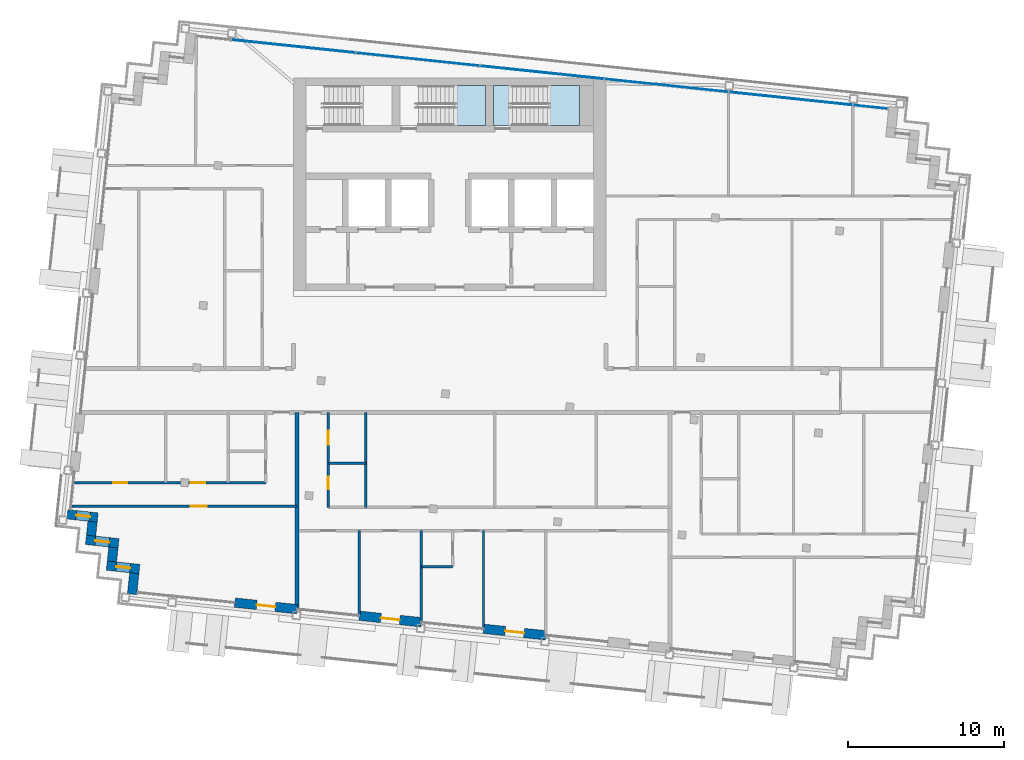
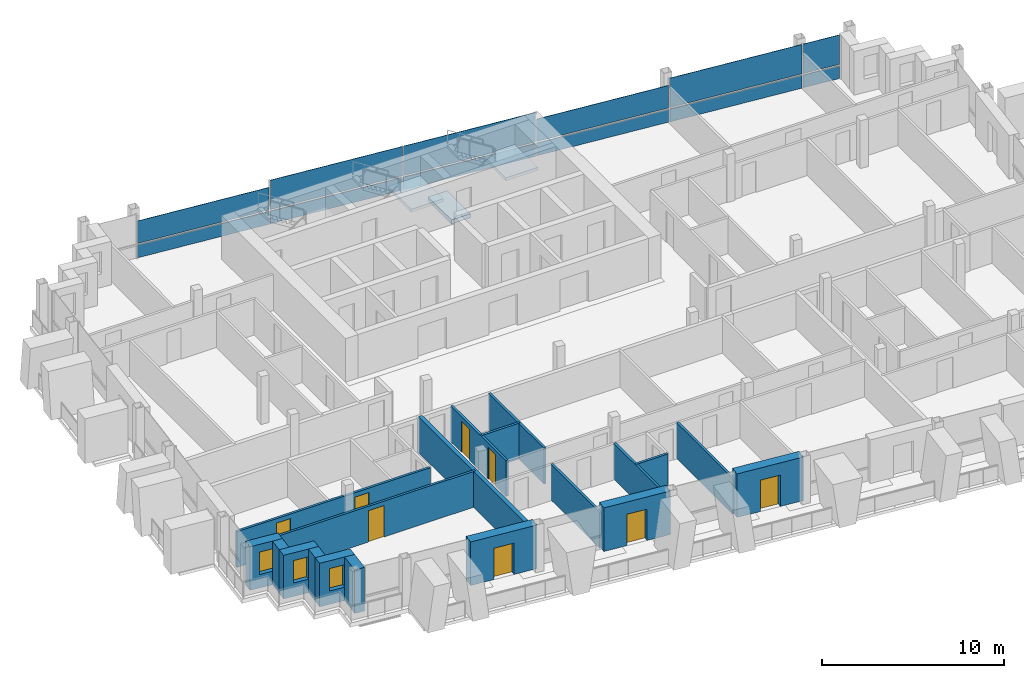
# One storey, part 8 of 16: 19 walls, 12 plates, 8 doors, 3 slabs, 3 windows, 11 openings, 3 elements without a shape of their own.
"""IFC4 building model written with IfcOpenShell, lengths in metres."""

from ifc_helpers import new_model, si_unit, direction, frame, frame_2d, origin, origin_2d, place, context, subcontext, project, spatial, polyline, rectangle, outline, extrude, material, layer, layer_set, type_object, element, fill, aggregate, save


model = new_model("IFC4")

# Units and contexts
model_context = context("Model", 3, precision=1e-05, world=origin(), true_north=direction((0.0, 1.0)))
body_context = subcontext(model_context, "Body", "Model", "MODEL_VIEW")
ifc_project = project(units=[si_unit("LENGTHUNIT", "METRE"), si_unit("AREAUNIT", "SQUARE_METRE"), si_unit("VOLUMEUNIT", "CUBIC_METRE"), si_unit("PLANEANGLEUNIT", "RADIAN"), si_unit("MASSUNIT", "GRAM", prefix="KILO")], contexts=[model_context])

# Site, building, storey
site_placement = place(None, origin())
site = spatial("IfcSite", under=ifc_project, at=site_placement, CompositionType="ELEMENT")
building_placement = place(site_placement, origin())
building = spatial("IfcBuilding", under=site, at=building_placement, Name="Vidyagriha Tower", CompositionType="ELEMENT")
storey_placement = place(building_placement, frame((0.0, 0.0, 253.10009765625)))
storey = spatial("IfcBuildingStorey", under=building, at=storey_placement, Name="L65", CompositionType="ELEMENT", Elevation=253.10009765625)

# Curtain wall, plates
ifc_material_1 = material(Name="Aluminium and glass curtain wall", Category="aluminium")
curtain_wall_type = type_object("IfcCurtainWallType", Name="Dwelling skin unitised curtain wall", PredefinedType="USERDEFINED", material=ifc_material_1)
curtain_wall_placement = place(storey_placement, origin())
curtain_wall = element("IfcCurtainWall", 1, at=curtain_wall_placement, inside=storey, type_object=curtain_wall_type, Name="CW1 dwelling skin", ObjectType="UNITISED", PredefinedType="USERDEFINED")
ifc_material_2 = material(Name="Glass dark ceramic-fritted spandrel", Category="glass")
ifc_layer_1 = layer(ifc_material_2, 0.0400390625)
ifc_layer_set_1 = layer_set([ifc_layer_1], Name="Glass dark ceramic-fritted spandrel")
plate_type_1 = type_object("IfcPlateType", Name="Ceramic-fritted spandrel panel", PredefinedType="CURTAIN_PANEL", material=ifc_layer_set_1)
plate_1_placement = place(storey_placement, frame((26.922607421875, 18.14599609375, -0.000244140625), z_axis=(0.0, 0.0, 1.0), x_axis=(-0.994521854435, 0.104528852722, 0.0)))
plate_1 = element("IfcPlate", 2, at=plate_1_placement, type_object=plate_type_1, Name="CW1 panel 1.1", PredefinedType="CURTAIN_PANEL", context=body_context, shape_type="SweptSolid", body=[
    extrude(rectangle(XDim=2.195068359375, YDim=0.0400390625, at=origin_2d()), origin(), (0.0, 0.0, 1.0), 0.85009765625),
])
plate_2_placement = place(storey_placement, frame((13.862060546875, 19.518798828125, -0.000244140625), z_axis=(0.0, 0.0, 1.0), x_axis=(-0.994521854435, 0.104528852722, 0.0)))
plate_2 = element("IfcPlate", 3, at=plate_2_placement, type_object=plate_type_1, Name="CW1 panel 3.1", PredefinedType="CURTAIN_PANEL", context=body_context, shape_type="SweptSolid", body=[
    extrude(rectangle(XDim=7.929931640625, YDim=0.0400390625, at=origin_2d()), origin(), (0.0, 0.0, 1.0), 0.85009765625),
])
plate_3_placement = place(storey_placement, frame((-2.05029296875, 21.191162109375, -0.000244140625), z_axis=(0.0, 0.0, 1.0), x_axis=(-0.994521854435, 0.104528852722, 0.0)))
plate_3 = element("IfcPlate", 4, at=plate_3_placement, type_object=plate_type_1, Name="CW1 panel 5.1", PredefinedType="CURTAIN_PANEL", context=body_context, shape_type="SweptSolid", body=[
    extrude(rectangle(XDim=7.929931640625, YDim=0.0400390625, at=origin_2d()), origin(), (0.0, 0.0, 1.0), 0.85009765625),
])
ifc_material_3 = material(Name="Glass dark ceramic-fritted", Category="glass")
ifc_layer_2 = layer(ifc_material_3, 0.028076171875)
ifc_layer_set_2 = layer_set([ifc_layer_2], Name="Glass dark ceramic-fritted")
plate_type_2 = type_object("IfcPlateType", Name="Dark ceramic-fritted vision glass panel", PredefinedType="CURTAIN_PANEL", material=ifc_layer_set_2)
plate_4_placement = place(storey_placement, frame((26.922607421875, 18.14599609375, 0.94970703125), z_axis=(0.0, 0.0, 1.0), x_axis=(-0.994521854435, 0.104528852722, 0.0)))
plate_4 = element("IfcPlate", 5, at=plate_4_placement, type_object=plate_type_2, Name="CW1 panel 1.2", PredefinedType="CURTAIN_PANEL", context=body_context, shape_type="SweptSolid", body=[
    extrude(rectangle(XDim=2.195068359375, YDim=0.028076171875, at=origin_2d()), origin(), (0.0, 0.0, 1.0), 1.969970703125),
])
plate_5_placement = place(storey_placement, frame((21.818359375, 18.6826171875, 0.94970703125), z_axis=(0.0, 0.0, 1.0), x_axis=(-0.994521854435, 0.104528852722, 0.0)))
plate_5 = element("IfcPlate", 6, at=plate_5_placement, type_object=plate_type_2, Name="CW1 panel 2.2", PredefinedType="CURTAIN_PANEL", context=body_context, shape_type="SweptSolid", body=[
    extrude(rectangle(XDim=7.929931640625, YDim=0.028076171875, at=origin_2d()), origin(), (0.0, 0.0, 1.0), 1.969970703125),
])
plate_6_placement = place(storey_placement, frame((13.862060546875, 19.518798828125, 0.949951171875), z_axis=(0.0, 0.0, 1.0), x_axis=(-0.994521854435, 0.104528852722, 0.0)))
plate_6 = element("IfcPlate", 7, at=plate_6_placement, type_object=plate_type_2, Name="CW1 panel 3.2", PredefinedType="CURTAIN_PANEL", context=body_context, shape_type="SweptSolid", body=[
    extrude(rectangle(XDim=7.929931640625, YDim=0.028076171875, at=origin_2d()), origin(), (0.0, 0.0, 1.0), 1.5078125),
])
plate_7_placement = place(storey_placement, frame((5.906005859375, 20.35498046875, 0.94970703125), z_axis=(0.0, 0.0, 1.0), x_axis=(-0.994521854435, 0.104528852722, 0.0)))
plate_7 = element("IfcPlate", 8, at=plate_7_placement, type_object=plate_type_2, Name="CW1 panel 4.2", PredefinedType="CURTAIN_PANEL", context=body_context, shape_type="SweptSolid", body=[
    extrude(rectangle(XDim=7.929931640625, YDim=0.028076171875, at=origin_2d()), origin(), (0.0, 0.0, 1.0), 1.969970703125),
])
plate_8_placement = place(storey_placement, frame((-2.05029296875, 21.191162109375, 0.94970703125), z_axis=(0.0, 0.0, 1.0), x_axis=(-0.994521854435, 0.104528852722, 0.0)))
plate_8 = element("IfcPlate", 9, at=plate_8_placement, type_object=plate_type_2, Name="CW1 panel 5.2", PredefinedType="CURTAIN_PANEL", context=body_context, shape_type="SweptSolid", body=[
    extrude(rectangle(XDim=7.929931640625, YDim=0.028076171875, at=origin_2d()), origin(), (0.0, 0.0, 1.0), 1.969970703125),
])
plate_9_placement = place(storey_placement, frame((-10.00634765625, 22.027587890625, 0.949951171875), z_axis=(0.0, 0.0, 1.0), x_axis=(-0.994521854435, 0.104528852722, 0.0)))
plate_9 = element("IfcPlate", 10, at=plate_9_placement, type_object=plate_type_2, Name="CW1 panel 6.2", PredefinedType="CURTAIN_PANEL", context=body_context, shape_type="SweptSolid", body=[
    extrude(rectangle(XDim=7.929931640625, YDim=0.028076171875, at=origin_2d()), origin(), (0.0, 0.0, 1.0), 1.5078125),
])

# Slab
ifc_material_4 = material(Name="Concrete C40/50", Category="concrete")
ifc_layer_3 = layer(ifc_material_4, 0.280029296875)
ifc_layer_set_3 = layer_set([ifc_layer_3], Name="Concrete C40/50")
slab_type_1 = type_object("IfcSlabType", Name="Exit stair floor landing 280 mm", PredefinedType="LANDING", material=ifc_layer_set_3)
slab_1_placement = place(storey_placement, frame((0.0, 0.0, -0.280029296875)))
element("IfcSlab", 11, at=slab_1_placement, inside=storey, type_object=slab_type_1, Name="ST3 floor landing L65", PredefinedType="LANDING", context=body_context, shape_type="SweptSolid", body=[
    extrude(outline(polyline([(2.800048828125, 16.949951171875), (4.0, 16.949951171875), (4.0, 19.5), (2.800048828125, 19.5), (2.800048828125, 16.949951171875)])), origin(), (0.0, 0.0, 1.0), 0.280029296875),
])

# Stair, slab
ifc_material_5 = material(Name="Concrete C40/50", Category="concrete")
stair_type = type_object("IfcStairType", Name="Exit stair, half-turn, precast flights", PredefinedType="HALF_TURN_STAIR", material=ifc_material_5)
stair_1_placement = place(storey_placement, origin())
stair_1 = element("IfcStair", 12, at=stair_1_placement, inside=storey, type_object=stair_type, Name="L65 Exit Stair ST2", PredefinedType="HALF_TURN_STAIR")
ifc_material_6 = material(Name="Concrete C40/50", Category="concrete")
ifc_layer_4 = layer(ifc_material_6, 0.199951171875)
ifc_layer_set_4 = layer_set([ifc_layer_4], Name="Concrete C40/50")
slab_type_2 = type_object("IfcSlabType", Name="Exit stair landing 200 mm", PredefinedType="LANDING", material=ifc_layer_set_4)
slab_2_placement = place(storey_placement, frame((0.0, 0.0, 1.39990234375)))
slab_2 = element("IfcSlab", 13, at=slab_2_placement, type_object=slab_type_2, Name="ST2 landing 1", PredefinedType="LANDING", context=body_context, shape_type="SweptSolid", body=[
    extrude(outline(polyline([(0.239990234375, 16.949951171875), (2.300048828125, 16.949951171875), (2.300048828125, 19.5), (0.239990234375, 19.5), (0.239990234375, 16.949951171875)])), origin(), (0.0, 0.0, 1.0), 0.199951171875),
])
aggregate(stair_1, [slab_2])

stair_2_placement = place(storey_placement, origin())
stair_2 = element("IfcStair", 14, at=stair_2_placement, inside=storey, type_object=stair_type, Name="L65 Exit Stair ST3", PredefinedType="HALF_TURN_STAIR")
slab_3_placement = place(storey_placement, frame((0.0, 0.0, 1.39990234375)))
slab_3 = element("IfcSlab", 15, at=slab_3_placement, type_object=slab_type_2, Name="ST3 landing 1", PredefinedType="LANDING", context=body_context, shape_type="SweptSolid", body=[
    extrude(outline(polyline([(6.239990234375, 16.949951171875), (8.300048828125, 16.949951171875), (8.300048828125, 19.5), (6.239990234375, 19.5), (6.239990234375, 16.949951171875)])), origin(), (0.0, 0.0, 1.0), 0.199951171875),
])
aggregate(stair_2, [slab_3])

# Plate
ifc_material_7 = material(Name="Aluminium black anodised", Category="aluminium")
ifc_layer_5 = layer(ifc_material_7, 0.06005859375)
ifc_layer_set_5 = layer_set([ifc_layer_5], Name="Aluminium black anodised")
plate_type_3 = type_object("IfcPlateType", Name="Operable black-metal vent panel", PredefinedType="CURTAIN_PANEL", material=ifc_layer_set_5)
plate_10_placement = place(storey_placement, frame((21.818359375, 18.6826171875, -0.000244140625), z_axis=(0.0, 0.0, 1.0), x_axis=(-0.994521854435, 0.104528852722, 0.0)))
plate_10 = element("IfcPlate", 16, at=plate_10_placement, type_object=plate_type_3, Name="CW1 panel 2.1", PredefinedType="CURTAIN_PANEL", context=body_context, shape_type="SweptSolid", body=[
    extrude(rectangle(XDim=7.929931640625, YDim=0.06005859375, at=origin_2d()), origin(), (0.0, 0.0, 1.0), 0.85009765625),
])

plate_11_placement = place(storey_placement, frame((5.906005859375, 20.35498046875, -0.000244140625), z_axis=(0.0, 0.0, 1.0), x_axis=(-0.994521854435, 0.104528852722, 0.0)))
plate_11 = element("IfcPlate", 17, at=plate_11_placement, type_object=plate_type_3, Name="CW1 panel 4.1", PredefinedType="CURTAIN_PANEL", context=body_context, shape_type="SweptSolid", body=[
    extrude(rectangle(XDim=7.929931640625, YDim=0.06005859375, at=origin_2d()), origin(), (0.0, 0.0, 1.0), 0.85009765625),
])

plate_12_placement = place(storey_placement, frame((-10.00634765625, 22.027587890625, -0.000244140625), z_axis=(0.0, 0.0, 1.0), x_axis=(-0.994521854435, 0.104528852722, 0.0)))
plate_12 = element("IfcPlate", 18, at=plate_12_placement, type_object=plate_type_3, Name="CW1 panel 6.1", PredefinedType="CURTAIN_PANEL", context=body_context, shape_type="SweptSolid", body=[
    extrude(rectangle(XDim=7.929931640625, YDim=0.06005859375, at=origin_2d()), origin(), (0.0, 0.0, 1.0), 0.85009765625),
])

aggregate(curtain_wall, [plate_1, plate_4, plate_10, plate_5, plate_2, plate_6, plate_11, plate_7, plate_3, plate_8, plate_12, plate_9])

# Wall, opening, window
ifc_material_8 = material(Name="Precast concrete C40/50 with brick facing", Category="concrete")
ifc_layer_6 = layer(ifc_material_8, 0.60009765625)
ifc_layer_set_6 = layer_set([ifc_layer_6], Name="Precast concrete C40/50 with brick facing")
wall_type_1 = type_object("IfcWallType", Name="Brick-faced precast wall 600", PredefinedType="STANDARD", material=ifc_layer_set_6)
wall_1_placement = place(storey_placement, frame((-24.466552734375, -7.92529296875, 0.0), z_axis=(0.0, 0.0, 1.0), x_axis=(0.994521219184, -0.104534896528, 0.0)))
wall_1 = element("IfcWall", 19, at=wall_1_placement, inside=storey, type_object=wall_type_1, Name="Stepped corner wall L65 R15", PredefinedType="STANDARD", context=body_context, shape_type="SweptSolid", body=[
    extrude(rectangle(XDim=1.9501953125, YDim=0.60009765625, at=frame_2d((0.97509765625, 0.0))), origin(), (0.0, 0.0, 1.0), 2.919921875),
])
opening_1_placement = place(wall_1_placement, frame((0.56005859375, 0.0, 0.89990234375)))
opening_1 = element("IfcOpeningElement", 20, at=opening_1_placement, cuts=wall_1, Name="Opening WN1", PredefinedType="OPENING", context=body_context, shape_type="SweptSolid", body=[
    extrude(rectangle(XDim=0.89990234375, YDim=1.5, at=frame_2d((0.449951171875, 0.75))), frame((0.0, 0.31005859375, 0.0), z_axis=(0.0, -1.0, 0.0), x_axis=(1.0, 0.0, 0.0)), (0.0, 0.0, 1.0), 0.6201171875),
])
ifc_material_9 = material(Name="Aluminium and glass window", Category="aluminium")
window_type = type_object("IfcWindowType", Name="Reveal window 900x1500", PartitioningType="NOTDEFINED", PredefinedType="WINDOW", material=ifc_material_9)
window_1_placement = place(opening_1_placement, origin())
window_1 = element("IfcWindow", 21, at=window_1_placement, inside=storey, type_object=window_type, Name="Reveal window L65 R15", OverallHeight=1.5, OverallWidth=0.89990234375, PartitioningType="SINGLE_PANEL", PredefinedType="WINDOW", context=body_context, shape_type="SweptSolid", body=[
    extrude(rectangle(XDim=0.89990234375, YDim=1.5, at=frame_2d((0.449951171875, 0.75))), frame((0.0, 0.030029296875, 0.0), z_axis=(0.0, -1.0, 0.0), x_axis=(1.0, 0.0, 0.0)), (0.0, 0.0, 1.0), 0.06005859375),
])
fill(opening_1, window_1)

# Wall
wall_2_placement = place(storey_placement, frame((-22.85693359375, -8.39599609375, 0.0), z_axis=(0.0, 0.0, 1.0), x_axis=(-0.104444712852, -0.994530694326, 0.0)))
element("IfcWall", 22, at=wall_2_placement, inside=storey, type_object=wall_type_1, Name="Stepped corner wall L65 R16", PredefinedType="STANDARD", context=body_context, shape_type="SweptSolid", body=[
    extrude(rectangle(XDim=0.89990234375, YDim=0.60009765625, at=frame_2d((0.449951171875, 0.0))), origin(), (0.0, 0.0, 1.0), 2.919921875),
])

# Wall, opening, window
wall_3_placement = place(storey_placement, frame((-23.28076171875, -9.55810546875, 0.0), z_axis=(0.0, 0.0, 1.0), x_axis=(0.994523910136, -0.104509292252, 0.0)))
wall_3 = element("IfcWall", 23, at=wall_3_placement, inside=storey, type_object=wall_type_1, Name="Stepped corner wall L65 R17", PredefinedType="STANDARD", context=body_context, shape_type="SweptSolid", body=[
    extrude(rectangle(XDim=2.10009765625, YDim=0.60009765625, at=frame_2d((1.050048828125, 0.0))), origin(), (0.0, 0.0, 1.0), 2.919921875),
])
opening_2_placement = place(wall_3_placement, frame((0.60009765625, 0.0, 0.89990234375)))
opening_2 = element("IfcOpeningElement", 24, at=opening_2_placement, cuts=wall_3, Name="Opening WN1", PredefinedType="OPENING", context=body_context, shape_type="SweptSolid", body=[
    extrude(rectangle(XDim=0.89990234375, YDim=1.5, at=frame_2d((0.449951171875, 0.75))), frame((0.0, 0.31005859375, 0.0), z_axis=(0.0, -1.0, 0.0), x_axis=(1.0, 0.0, 0.0)), (0.0, 0.0, 1.0), 0.6201171875),
])
window_2_placement = place(opening_2_placement, origin())
window_2 = element("IfcWindow", 25, at=window_2_placement, inside=storey, type_object=window_type, Name="Reveal window L65 R17", OverallHeight=1.5, OverallWidth=0.89990234375, PartitioningType="SINGLE_PANEL", PredefinedType="WINDOW", context=body_context, shape_type="SweptSolid", body=[
    extrude(rectangle(XDim=0.89990234375, YDim=1.5, at=frame_2d((0.449951171875, 0.75))), frame((0.0, 0.030029296875, 0.0), z_axis=(0.0, -1.0, 0.0), x_axis=(1.0, 0.0, 0.0)), (0.0, 0.0, 1.0), 0.06005859375),
])
fill(opening_2, window_2)

# Wall
wall_4_placement = place(storey_placement, frame((-21.52197265625, -10.04443359375, 0.0), z_axis=(0.0, 0.0, 1.0), x_axis=(-0.104416541099, -0.994533652495, 0.0)))
element("IfcWall", 26, at=wall_4_placement, inside=storey, type_object=wall_type_1, Name="Stepped corner wall L65 R18", PredefinedType="STANDARD", context=body_context, shape_type="SweptSolid", body=[
    extrude(rectangle(XDim=0.900146484375, YDim=0.60009765625, at=frame_2d((0.4501953125, 0.0))), origin(), (0.0, 0.0, 1.0), 2.919921875),
])

# Wall, opening, window
wall_5_placement = place(storey_placement, frame((-21.94580078125, -11.20654296875, 0.0), z_axis=(0.0, 0.0, 1.0), x_axis=(0.994511820899, -0.104624271047, 0.0)))
wall_5 = element("IfcWall", 27, at=wall_5_placement, inside=storey, type_object=wall_type_1, Name="Stepped corner wall L65 R19", PredefinedType="STANDARD", context=body_context, shape_type="SweptSolid", body=[
    extrude(rectangle(XDim=2.10009765625, YDim=0.60009765625, at=frame_2d((1.050048828125, 0.0))), origin(), (0.0, 0.0, 1.0), 2.919921875),
])
opening_3_placement = place(wall_5_placement, frame((0.60009765625, 0.0, 0.89990234375)))
opening_3 = element("IfcOpeningElement", 28, at=opening_3_placement, cuts=wall_5, Name="Opening WN1", PredefinedType="OPENING", context=body_context, shape_type="SweptSolid", body=[
    extrude(rectangle(XDim=0.89990234375, YDim=1.5, at=frame_2d((0.449951171875, 0.75))), frame((0.0, 0.31005859375, 0.0), z_axis=(0.0, -1.0, 0.0), x_axis=(1.0, 0.0, 0.0)), (0.0, 0.0, 1.0), 0.6201171875),
])
window_3_placement = place(opening_3_placement, origin())
window_3 = element("IfcWindow", 29, at=window_3_placement, inside=storey, type_object=window_type, Name="Reveal window L65 R19", OverallHeight=1.5, OverallWidth=0.89990234375, PartitioningType="SINGLE_PANEL", PredefinedType="WINDOW", context=body_context, shape_type="SweptSolid", body=[
    extrude(rectangle(XDim=0.89990234375, YDim=1.5, at=frame_2d((0.449951171875, 0.75))), frame((0.0, 0.030029296875, 0.0), z_axis=(0.0, -1.0, 0.0), x_axis=(1.0, 0.0, 0.0)), (0.0, 0.0, 1.0), 0.06005859375),
])
fill(opening_3, window_3)

# Wall
wall_6_placement = place(storey_placement, frame((-20.18701171875, -11.693115234375, 0.0), z_axis=(0.0, 0.0, 1.0), x_axis=(-0.1043365026, -0.994542052517, 0.0)))
element("IfcWall", 30, at=wall_6_placement, inside=storey, type_object=wall_type_1, Name="Stepped corner wall L65 R20", PredefinedType="STANDARD", context=body_context, shape_type="SweptSolid", body=[
    extrude(rectangle(XDim=1.35009765625, YDim=0.60009765625, at=frame_2d((0.675048828125, 0.0))), origin(), (0.0, 0.0, 1.0), 2.919921875),
])

# Wall, opening, door
wall_7_placement = place(storey_placement, frame((-13.74853515625, -13.576416015625, 0.0), z_axis=(0.0, 0.0, 1.0), x_axis=(0.994519156568, -0.104554517933, 0.0)))
wall_7 = element("IfcWall", 31, at=wall_7_placement, inside=storey, type_object=wall_type_1, Name="Brick door bay wall L65 R21.3", PredefinedType="STANDARD", context=body_context, shape_type="SweptSolid", body=[
    extrude(rectangle(XDim=4.0, YDim=0.60009765625, at=frame_2d((2.0, 0.0))), origin(), (0.0, 0.0, 1.0), 2.919921875),
])
opening_4_placement = place(wall_7_placement, frame((1.39990234375, 0.0, 0.0)))
opening_4 = element("IfcOpeningElement", 32, at=opening_4_placement, cuts=wall_7, Name="Opening D65-55", PredefinedType="OPENING", context=body_context, shape_type="SweptSolid", body=[
    extrude(rectangle(XDim=1.199951171875, YDim=2.10009765625, at=frame_2d((0.60009765625, 1.050048828125))), frame((0.0, 0.31005859375, 0.0), z_axis=(0.0, -1.0, 0.0), x_axis=(1.0, 0.0, 0.0)), (0.0, 0.0, 1.0), 0.6201171875),
])
ifc_material_10 = material(Name="Aluminium framed glazed sliding door", Category="aluminium")
door_type_1 = type_object("IfcDoorType", Name="Balcony sliding door 1200x2100", OperationType="NOTDEFINED", PredefinedType="DOOR", material=ifc_material_10)
door_1_placement = place(opening_4_placement, origin())
door_1 = element("IfcDoor", 33, at=door_1_placement, inside=storey, type_object=door_type_1, Name="Door D65-55", OperationType="SLIDING_TO_LEFT", OverallHeight=2.10009765625, OverallWidth=1.199951171875, PredefinedType="DOOR", context=body_context, shape_type="SweptSolid", body=[
    extrude(rectangle(XDim=1.199951171875, YDim=2.10009765625, at=frame_2d((0.60009765625, 1.050048828125))), frame((0.0, 0.02490234375, 0.0), z_axis=(0.0, -1.0, 0.0), x_axis=(1.0, 0.0, 0.0)), (0.0, 0.0, 1.0), 0.050048828125),
])
fill(opening_4, door_1)

wall_8_placement = place(storey_placement, frame((-5.792236328125, -14.412841796875, 0.0), z_axis=(0.0, 0.0, 1.0), x_axis=(0.99452550138, -0.104494148666, 0.0)))
wall_8 = element("IfcWall", 34, at=wall_8_placement, inside=storey, type_object=wall_type_1, Name="Brick door bay wall L65 R21.5", PredefinedType="STANDARD", context=body_context, shape_type="SweptSolid", body=[
    extrude(rectangle(XDim=4.0, YDim=0.60009765625, at=frame_2d((2.0, 0.0))), origin(), (0.0, 0.0, 1.0), 2.919921875),
])
opening_5_placement = place(wall_8_placement, frame((1.39990234375, 0.0, 0.0)))
opening_5 = element("IfcOpeningElement", 35, at=opening_5_placement, cuts=wall_8, Name="Opening D65-56", PredefinedType="OPENING", context=body_context, shape_type="SweptSolid", body=[
    extrude(rectangle(XDim=1.199951171875, YDim=2.10009765625, at=frame_2d((0.60009765625, 1.050048828125))), frame((0.0, 0.31005859375, 0.0), z_axis=(0.0, -1.0, 0.0), x_axis=(1.0, 0.0, 0.0)), (0.0, 0.0, 1.0), 0.6201171875),
])
door_2_placement = place(opening_5_placement, origin())
door_2 = element("IfcDoor", 36, at=door_2_placement, inside=storey, type_object=door_type_1, Name="Door D65-56", OperationType="SLIDING_TO_LEFT", OverallHeight=2.10009765625, OverallWidth=1.199951171875, PredefinedType="DOOR", context=body_context, shape_type="SweptSolid", body=[
    extrude(rectangle(XDim=1.199951171875, YDim=2.10009765625, at=frame_2d((0.60009765625, 1.050048828125))), frame((0.0, 0.02490234375, 0.0), z_axis=(0.0, -1.0, 0.0), x_axis=(1.0, 0.0, 0.0)), (0.0, 0.0, 1.0), 0.050048828125),
])
fill(opening_5, door_2)

wall_9_placement = place(storey_placement, frame((2.163818359375, -15.2490234375, 0.0), z_axis=(0.0, 0.0, 1.0), x_axis=(0.99452550138, -0.104494148666, 0.0)))
wall_9 = element("IfcWall", 37, at=wall_9_placement, inside=storey, type_object=wall_type_1, Name="Brick door bay wall L65 R21.7", PredefinedType="STANDARD", context=body_context, shape_type="SweptSolid", body=[
    extrude(rectangle(XDim=4.0, YDim=0.60009765625, at=frame_2d((2.0, 0.0))), origin(), (0.0, 0.0, 1.0), 2.919921875),
])
opening_6_placement = place(wall_9_placement, frame((1.39990234375, 0.0, 0.0)))
opening_6 = element("IfcOpeningElement", 38, at=opening_6_placement, cuts=wall_9, Name="Opening D65-57", PredefinedType="OPENING", context=body_context, shape_type="SweptSolid", body=[
    extrude(rectangle(XDim=1.199951171875, YDim=2.10009765625, at=frame_2d((0.60009765625, 1.050048828125))), frame((0.0, 0.31005859375, 0.0), z_axis=(0.0, -1.0, 0.0), x_axis=(1.0, 0.0, 0.0)), (0.0, 0.0, 1.0), 0.6201171875),
])
door_3_placement = place(opening_6_placement, origin())
door_3 = element("IfcDoor", 39, at=door_3_placement, inside=storey, type_object=door_type_1, Name="Door D65-57", OperationType="SLIDING_TO_LEFT", OverallHeight=2.10009765625, OverallWidth=1.199951171875, PredefinedType="DOOR", context=body_context, shape_type="SweptSolid", body=[
    extrude(rectangle(XDim=1.199951171875, YDim=2.10009765625, at=frame_2d((0.60009765625, 1.050048828125))), frame((0.0, 0.02490234375, 0.0), z_axis=(0.0, -1.0, 0.0), x_axis=(1.0, 0.0, 0.0)), (0.0, 0.0, 1.0), 0.050048828125),
])
fill(opening_6, door_3)

# Wall
ifc_material_11 = material(Name="Fired clay brick masonry", Category="masonry")
ifc_layer_7 = layer(ifc_material_11, 0.25)
ifc_layer_set_7 = layer_set([ifc_layer_7], Name="Fired clay brick masonry")
wall_type_2 = type_object("IfcWallType", Name="Fired clay brick demising wall 250", PredefinedType="PARTITIONING", material=ifc_layer_set_7)
wall_10_placement = place(storey_placement, frame((-9.77001953125, -1.39990234375, 0.0), z_axis=(0.0, 0.0, 1.0), x_axis=(0.0, -1.0, 0.0)))
element("IfcWall", 40, at=wall_10_placement, inside=storey, type_object=wall_type_2, Name="Wall all-L65-w038", PredefinedType="PARTITIONING", context=body_context, shape_type="SweptSolid", body=[
    extrude(rectangle(XDim=12.50439453125, YDim=0.25, at=frame_2d((6.252197265625, 0.0))), origin(), (0.0, 0.0, 1.0), 2.39990234375),
])

# Wall, openings, doors
ifc_material_12 = material(Name="Gypsum board partition")
ifc_layer_8 = layer(ifc_material_12, 0.14990234375)
ifc_layer_set_8 = layer_set([ifc_layer_8], Name="Gypsum board partition")
wall_type_3 = type_object("IfcWallType", Name="Gypsum board partition 150", PredefinedType="PARTITIONING", material=ifc_layer_set_8)
wall_11_placement = place(storey_placement, frame((-24.0234375, -5.89990234375, 0.0)))
wall_11 = element("IfcWall", 41, at=wall_11_placement, inside=storey, type_object=wall_type_3, Name="Wall all-L65-w007", PredefinedType="PARTITIONING", context=body_context, shape_type="SweptSolid", body=[
    extrude(rectangle(XDim=12.25341796875, YDim=0.14990234375, at=frame_2d((6.126708984375, 0.0))), origin(), (0.0, 0.0, 1.0), 2.39990234375),
])
opening_7_placement = place(wall_11_placement, frame((7.46484375, 0.0, 0.0)))
opening_7 = element("IfcOpeningElement", 42, at=opening_7_placement, cuts=wall_11, Name="Opening D65-12", PredefinedType="OPENING", context=body_context, shape_type="SweptSolid", body=[
    extrude(rectangle(XDim=0.89990234375, YDim=2.10009765625, at=frame_2d((0.449951171875, 1.050048828125))), frame((0.0, 0.0849609375, 0.0), z_axis=(0.0, -1.0, 0.0), x_axis=(1.0, 0.0, 0.0)), (0.0, 0.0, 1.0), 0.169921875),
])
opening_8_placement = place(wall_11_placement, frame((2.494384765625, 0.0, 0.0)))
opening_8 = element("IfcOpeningElement", 43, at=opening_8_placement, cuts=wall_11, Name="Opening D65-13", PredefinedType="OPENING", context=body_context, shape_type="SweptSolid", body=[
    extrude(rectangle(XDim=0.89990234375, YDim=2.10009765625, at=frame_2d((0.449951171875, 1.050048828125))), frame((0.0, 0.0849609375, 0.0), z_axis=(0.0, -1.0, 0.0), x_axis=(1.0, 0.0, 0.0)), (0.0, 0.0, 1.0), 0.169921875),
])
ifc_material_13 = material(Name="Timber door leaf", Category="wood")
door_type_2 = type_object("IfcDoorType", Name="Room door 900x2100", OperationType="NOTDEFINED", PredefinedType="DOOR", material=ifc_material_13)
door_4_placement = place(opening_7_placement, origin())
door_4 = element("IfcDoor", 44, at=door_4_placement, inside=storey, type_object=door_type_2, Name="Door D65-12", OperationType="SINGLE_SWING_RIGHT", OverallHeight=2.10009765625, OverallWidth=0.89990234375, PredefinedType="DOOR", context=body_context, shape_type="SweptSolid", body=[
    extrude(rectangle(XDim=0.89990234375, YDim=2.10009765625, at=frame_2d((0.449951171875, 1.050048828125))), frame((0.0, 0.02490234375, 0.0), z_axis=(0.0, -1.0, 0.0), x_axis=(1.0, 0.0, 0.0)), (0.0, 0.0, 1.0), 0.050048828125),
])
fill(opening_7, door_4)
door_5_placement = place(opening_8_placement, origin())
door_5 = element("IfcDoor", 45, at=door_5_placement, inside=storey, type_object=door_type_2, Name="Door D65-13", OperationType="SINGLE_SWING_LEFT", OverallHeight=2.10009765625, OverallWidth=0.89990234375, PredefinedType="DOOR", context=body_context, shape_type="SweptSolid", body=[
    extrude(rectangle(XDim=0.89990234375, YDim=2.10009765625, at=frame_2d((0.449951171875, 1.050048828125))), frame((0.0, 0.02490234375, 0.0), z_axis=(0.0, -1.0, 0.0), x_axis=(1.0, 0.0, 0.0)), (0.0, 0.0, 1.0), 0.050048828125),
])
fill(opening_8, door_5)

# Wall, opening, door
wall_12_placement = place(storey_placement, frame((-9.77001953125, -7.39990234375, 0.0), z_axis=(0.0, 0.0, 1.0), x_axis=(-1.0, 0.0, 0.0)))
wall_12 = element("IfcWall", 46, at=wall_12_placement, inside=storey, type_object=wall_type_3, Name="Wall all-L65-w010", PredefinedType="PARTITIONING", context=body_context, shape_type="SweptSolid", body=[
    extrude(rectangle(XDim=14.4111328125, YDim=0.14990234375, at=frame_2d((7.20556640625, 0.0))), origin(), (0.0, 0.0, 1.0), 2.39990234375),
])
opening_9_placement = place(wall_12_placement, frame((5.78857421875, 0.0, 0.0)))
opening_9 = element("IfcOpeningElement", 47, at=opening_9_placement, cuts=wall_12, Name="Opening D65-14", PredefinedType="OPENING", context=body_context, shape_type="SweptSolid", body=[
    extrude(rectangle(XDim=1.0, YDim=2.10009765625, at=frame_2d((0.5, 1.050048828125))), frame((0.0, 0.0849609375, 0.0), z_axis=(0.0, -1.0, 0.0), x_axis=(1.0, 0.0, 0.0)), (0.0, 0.0, 1.0), 0.169921875),
])
ifc_material_14 = material(Name="Timber door leaf", Category="wood")
door_type_3 = type_object("IfcDoorType", Name="Room door 1000x2100", OperationType="NOTDEFINED", PredefinedType="DOOR", material=ifc_material_14)
door_6_placement = place(opening_9_placement, origin())
door_6 = element("IfcDoor", 48, at=door_6_placement, inside=storey, type_object=door_type_3, Name="Door D65-14", OperationType="SINGLE_SWING_LEFT", OverallHeight=2.10009765625, OverallWidth=1.0, PredefinedType="DOOR", context=body_context, shape_type="SweptSolid", body=[
    extrude(rectangle(XDim=1.0, YDim=2.10009765625, at=frame_2d((0.5, 1.050048828125))), frame((0.0, 0.02490234375, 0.0), z_axis=(0.0, -1.0, 0.0), x_axis=(1.0, 0.0, 0.0)), (0.0, 0.0, 1.0), 0.050048828125),
])
fill(opening_9, door_6)

# Walls
wall_13_placement = place(storey_placement, frame((-5.3701171875, -4.64990234375, 0.0), z_axis=(0.0, 0.0, 1.0), x_axis=(-1.0, 0.0, 0.0)))
element("IfcWall", 49, at=wall_13_placement, inside=storey, type_object=wall_type_3, Name="Wall all-L65-w016", PredefinedType="PARTITIONING", context=body_context, shape_type="SweptSolid", body=[
    extrude(rectangle(XDim=2.39990234375, YDim=0.14990234375, at=frame_2d((1.199951171875, 0.0))), origin(), (0.0, 0.0, 1.0), 2.39990234375),
])
wall_14_placement = place(storey_placement, frame((-5.3701171875, -1.39990234375, 0.0), z_axis=(0.0, 0.0, 1.0), x_axis=(0.0, -1.0, 0.0)))
element("IfcWall", 50, at=wall_14_placement, inside=storey, type_object=wall_type_3, Name="Wall all-L65-w017", PredefinedType="PARTITIONING", context=body_context, shape_type="SweptSolid", body=[
    extrude(rectangle(XDim=6.07470703125, YDim=0.14990234375, at=frame_2d((3.037353515625, 0.0))), origin(), (0.0, 0.0, 1.0), 2.39990234375),
])
wall_15_placement = place(storey_placement, frame((-5.792236328125, -8.974609375, 0.0), z_axis=(0.0, 0.0, 1.0), x_axis=(0.0, -1.0, 0.0)))
element("IfcWall", 51, at=wall_15_placement, inside=storey, type_object=wall_type_3, Name="Wall all-L65-w030", PredefinedType="PARTITIONING", context=body_context, shape_type="SweptSolid", body=[
    extrude(rectangle(XDim=5.358642578125, YDim=0.14990234375, at=frame_2d((2.67919921875, 0.0))), origin(), (0.0, 0.0, 1.0), 2.39990234375),
])
wall_16_placement = place(storey_placement, frame((-1.814208984375, -8.974609375, 0.0), z_axis=(0.0, 0.0, 1.0), x_axis=(0.0, -1.0, 0.0)))
element("IfcWall", 52, at=wall_16_placement, inside=storey, type_object=wall_type_3, Name="Wall all-L65-w031", PredefinedType="PARTITIONING", context=body_context, shape_type="SweptSolid", body=[
    extrude(rectangle(XDim=5.765869140625, YDim=0.14990234375, at=frame_2d((2.8828125, 0.0))), origin(), (0.0, 0.0, 1.0), 2.39990234375),
])
wall_17_placement = place(storey_placement, frame((2.163818359375, -8.974609375, 0.0), z_axis=(0.0, 0.0, 1.0), x_axis=(0.0, -1.0, 0.0)))
element("IfcWall", 53, at=wall_17_placement, inside=storey, type_object=wall_type_3, Name="Wall all-L65-w032", PredefinedType="PARTITIONING", context=body_context, shape_type="SweptSolid", body=[
    extrude(rectangle(XDim=6.19482421875, YDim=0.14990234375, at=frame_2d((3.097412109375, 0.0))), origin(), (0.0, 0.0, 1.0), 2.39990234375),
])
wall_18_placement = place(storey_placement, frame((0.185791015625, -11.2744140625, 0.0), z_axis=(0.0, 0.0, 1.0), x_axis=(-1.0, 0.0, 0.0)))
element("IfcWall", 54, at=wall_18_placement, inside=storey, type_object=wall_type_3, Name="Wall all-L65-w035", PredefinedType="PARTITIONING", context=body_context, shape_type="SweptSolid", body=[
    extrude(rectangle(XDim=2.0, YDim=0.14990234375, at=frame_2d((1.0, 0.0))), origin(), (0.0, 0.0, 1.0), 2.39990234375),
])

# Wall, openings, doors
ifc_material_15 = material(Name="Moisture resistant gypsum board partition")
ifc_layer_9 = layer(ifc_material_15, 0.14990234375)
ifc_layer_set_9 = layer_set([ifc_layer_9], Name="Moisture resistant gypsum board partition")
wall_type_4 = type_object("IfcWallType", Name="Gypsum board wet-area partition 150", PredefinedType="PARTITIONING", material=ifc_layer_set_9)
wall_19_placement = place(storey_placement, frame((-7.77001953125, -1.39990234375, 0.0), z_axis=(0.0, 0.0, 1.0), x_axis=(0.0, -1.0, 0.0)))
wall_19 = element("IfcWall", 55, at=wall_19_placement, inside=storey, type_object=wall_type_4, Name="Wall all-L65-w013", PredefinedType="PARTITIONING", context=body_context, shape_type="SweptSolid", body=[
    extrude(rectangle(XDim=6.07470703125, YDim=0.14990234375, at=frame_2d((3.037353515625, 0.0))), origin(), (0.0, 0.0, 1.0), 2.39990234375),
])
opening_10_placement = place(wall_19_placement, frame((1.175048828125, 0.0, 0.0)))
opening_10 = element("IfcOpeningElement", 56, at=opening_10_placement, cuts=wall_19, Name="Opening D65-16", PredefinedType="OPENING", context=body_context, shape_type="SweptSolid", body=[
    extrude(rectangle(XDim=0.89990234375, YDim=2.10009765625, at=frame_2d((0.449951171875, 1.050048828125))), frame((0.0, 0.0849609375, 0.0), z_axis=(0.0, -1.0, 0.0), x_axis=(1.0, 0.0, 0.0)), (0.0, 0.0, 1.0), 0.169921875),
])
opening_11_placement = place(wall_19_placement, frame((4.129638671875, 0.0, 0.0)))
opening_11 = element("IfcOpeningElement", 57, at=opening_11_placement, cuts=wall_19, Name="Opening D65-17", PredefinedType="OPENING", context=body_context, shape_type="SweptSolid", body=[
    extrude(rectangle(XDim=0.800048828125, YDim=2.10009765625, at=frame_2d((0.39990234375, 1.050048828125))), frame((0.0, 0.0849609375, 0.0), z_axis=(0.0, -1.0, 0.0), x_axis=(1.0, 0.0, 0.0)), (0.0, 0.0, 1.0), 0.169921875),
])
ifc_material_16 = material(Name="Timber door leaf", Category="wood")
door_type_4 = type_object("IfcDoorType", Name="Bathroom door 800x2100", OperationType="NOTDEFINED", PredefinedType="DOOR", material=ifc_material_16)
door_7_placement = place(opening_11_placement, origin())
door_7 = element("IfcDoor", 58, at=door_7_placement, inside=storey, type_object=door_type_4, Name="Door D65-17", OperationType="SINGLE_SWING_LEFT", OverallHeight=2.10009765625, OverallWidth=0.800048828125, PredefinedType="DOOR", context=body_context, shape_type="SweptSolid", body=[
    extrude(rectangle(XDim=0.800048828125, YDim=2.10009765625, at=frame_2d((0.39990234375, 1.050048828125))), frame((0.0, 0.02490234375, 0.0), z_axis=(0.0, -1.0, 0.0), x_axis=(1.0, 0.0, 0.0)), (0.0, 0.0, 1.0), 0.050048828125),
])
fill(opening_11, door_7)
ifc_material_17 = material(Name="Timber door leaf", Category="wood")
door_type_5 = type_object("IfcDoorType", Name="Kitchen door 900x2100", OperationType="NOTDEFINED", PredefinedType="DOOR", material=ifc_material_17)
door_8_placement = place(opening_10_placement, origin())
door_8 = element("IfcDoor", 59, at=door_8_placement, inside=storey, type_object=door_type_5, Name="Door D65-16", OperationType="SINGLE_SWING_LEFT", OverallHeight=2.10009765625, OverallWidth=0.89990234375, PredefinedType="DOOR", context=body_context, shape_type="SweptSolid", body=[
    extrude(rectangle(XDim=0.89990234375, YDim=2.10009765625, at=frame_2d((0.449951171875, 1.050048828125))), frame((0.0, 0.02490234375, 0.0), z_axis=(0.0, -1.0, 0.0), x_axis=(1.0, 0.0, 0.0)), (0.0, 0.0, 1.0), 0.050048828125),
])
fill(opening_10, door_8)

save(model, "model.ifc")
